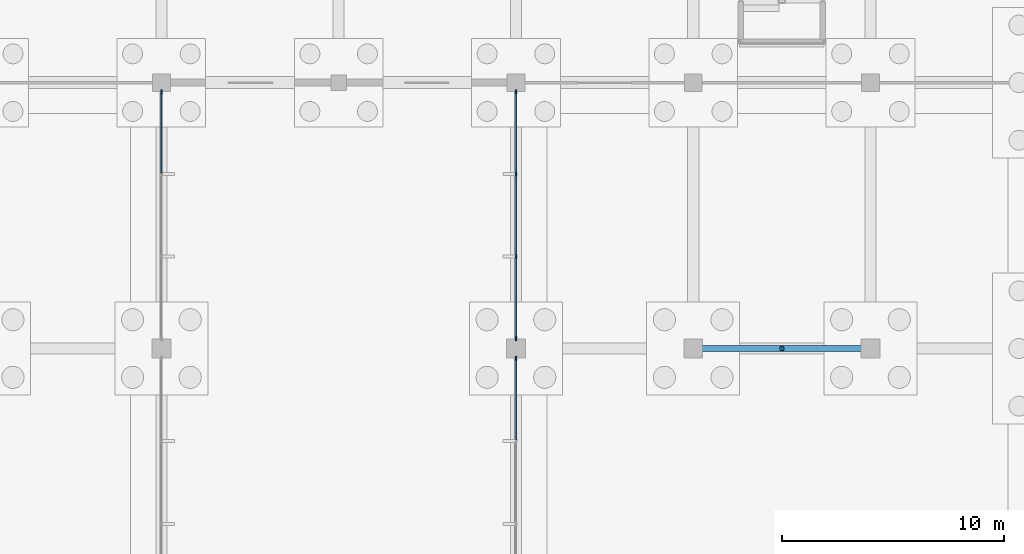
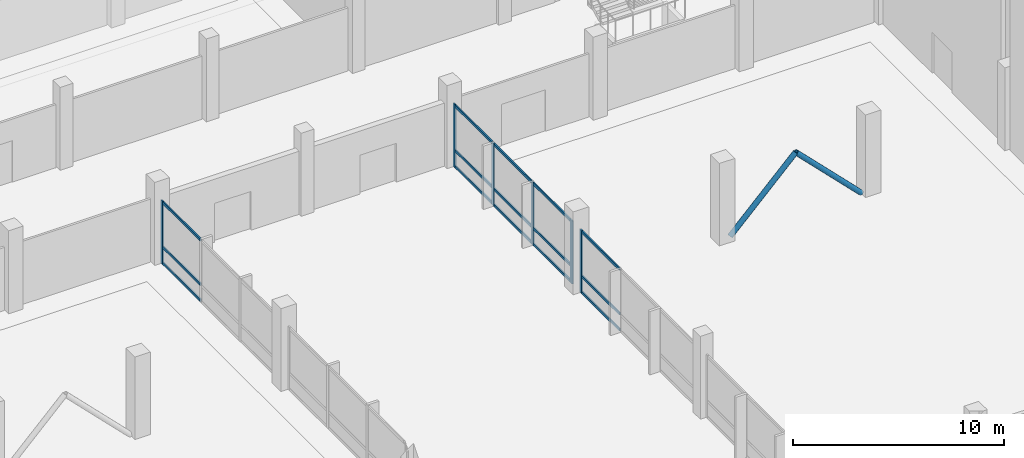
# One storey, part 26 of 72: 23 members, 3 elements without a shape of their own.
"""IFC4 building model written with IfcOpenShell, lengths in metres."""

from ifc_helpers import new_model, si_unit, direction, frame, origin, origin_2d, place, context, subcontext, project, spatial, rectangle, hollow_circle, extrude, material, material_profile, profile_set, type_object, element, aggregate, save


model = new_model("IFC4")

# Units and contexts
model_context = context("Model", 3, precision=1e-05, world=origin(), true_north=direction((0.0, 1.0)))
body_context = subcontext(model_context, "Body", "Model", "MODEL_VIEW")
ifc_project = project(units=[si_unit("LENGTHUNIT", "METRE"), si_unit("AREAUNIT", "SQUARE_METRE"), si_unit("VOLUMEUNIT", "CUBIC_METRE"), si_unit("PLANEANGLEUNIT", "RADIAN"), si_unit("MASSUNIT", "GRAM", prefix="KILO"), si_unit("THERMODYNAMICTEMPERATUREUNIT", "KELVIN"), si_unit("POWERUNIT", "WATT")], contexts=[model_context])

# Site, building, storey
site_placement = place(None, origin())
site = spatial("IfcSite", under=ifc_project, at=site_placement, CompositionType="ELEMENT")
building_placement = place(site_placement, origin())
building = spatial("IfcBuilding", under=site, at=building_placement, Name="Kronsvod Quay Wholesale Market", CompositionType="ELEMENT")
storey_placement = place(building_placement, origin())
storey = spatial("IfcBuildingStorey", under=building, at=storey_placement, Name="L00", CompositionType="ELEMENT", Elevation=0.0)

# Members
ifc_material_1 = material(Name="Steel S355", Category="steel")
ifc_material_profile_1 = material_profile(ifc_material_1, hollow_circle(Radius=0.136474609375, WallThickness=0.010009765625, at=origin_2d()), Name="CHS273x10")
ifc_profile_set_1 = profile_set([ifc_material_profile_1], Name="Steel S355")
member_type_1 = type_object("IfcMemberType", Name="Member_Brace273x10", PredefinedType="BRACE", material=ifc_profile_set_1)
for number, where, z_axis, x_axis, name in (
    (1, (112.4150390625, 78.0, 0.050048828125), (0.705639584744, 0.0, 0.708570939598), (0.0, 1.0, 0.0), "BRCG-L00-1120-780-A"),
    (2, (119.5849609375, 78.0, 0.050048828125), (-0.705639584744, 0.0, 0.708570939598), (0.0, -1.0, 0.0), "BRCG-L00-1120-780-B"),
):
    element("IfcMember", number, at=place(storey_placement, frame(where, z_axis=z_axis, x_axis=x_axis)), inside=storey, type_object=member_type_1, Name=name, PredefinedType="BRACE", context=body_context, shape_type="SweptSolid", body=[
        extrude(hollow_circle(Radius=0.136474609375, WallThickness=0.010009765625, at=origin_2d()), origin(), (0.0, 0.0, 1.0), 5.080322265625),
    ])

# Curtain wall, member
ifc_material_2 = material(Name="Thermally broken aluminium and triple low-E glazing", Category="aluminium")
curtain_wall_type = type_object("IfcCurtainWallType", Name="CW_Court120x35", PredefinedType="NOTDEFINED", material=ifc_material_2)
curtain_wall_1_placement = place(storey_placement, origin())
curtain_wall_1 = element("IfcCurtainWall", 3, at=curtain_wall_1_placement, inside=storey, type_object=curtain_wall_type, Name="CWGY-L00-880-780", PredefinedType="NOTDEFINED")
ifc_material_3 = material(Name="Anodised aluminium", Category="aluminium")
ifc_material_profile_2 = material_profile(ifc_material_3, rectangle(XDim=0.074951171875, YDim=0.199951171875, at=origin_2d()), Name="ALUM75x200")
ifc_profile_set_2 = profile_set([ifc_material_profile_2], Name="Anodised aluminium")
member_type_2 = type_object("IfcMemberType", Name="Mullion_ALU75x200", PredefinedType="MULLION", material=ifc_profile_set_2)
member_1_placement = place(storey_placement, frame((88.0, 89.5673828125, 0.0), z_axis=(0.0, 0.0, 1.0), x_axis=(1.0, 0.0, 0.0)))
member_1 = element("IfcMember", 4, at=member_1_placement, type_object=member_type_2, Name="CWGY-L00-880-780-M4", PredefinedType="MULLION", context=body_context, shape_type="SweptSolid", body=[
    extrude(rectangle(XDim=0.074951171875, YDim=0.199951171875, at=origin_2d()), origin(), (0.0, 0.0, 1.0), 3.64990234375),
])

curtain_wall_2_placement = place(storey_placement, origin())
curtain_wall_2 = element("IfcCurtainWall", 5, at=curtain_wall_2_placement, inside=storey, type_object=curtain_wall_type, Name="CWGY-L00-1040-660", PredefinedType="NOTDEFINED")
member_2_placement = place(storey_placement, frame((104.0, 77.54248046875, 0.0), z_axis=(0.0, 0.0, 1.0), x_axis=(1.0, 0.0, 0.0)))
member_2 = element("IfcMember", 6, at=member_2_placement, type_object=member_type_2, Name="CWGY-L00-1040-660-M1", PredefinedType="MULLION", context=body_context, shape_type="SweptSolid", body=[
    extrude(rectangle(XDim=0.074951171875, YDim=0.199951171875, at=origin_2d()), origin(), (0.0, 0.0, 1.0), 3.64990234375),
])

# Curtain wall, members
curtain_wall_3_placement = place(storey_placement, origin())
curtain_wall_3 = element("IfcCurtainWall", 7, at=curtain_wall_3_placement, inside=storey, type_object=curtain_wall_type, Name="CWGY-L00-1040-780", PredefinedType="NOTDEFINED")
member_3_placement = place(storey_placement, frame((104.0, 89.5673828125, 0.0), z_axis=(0.0, 0.0, 1.0), x_axis=(1.0, 0.0, 0.0)))
member_3 = element("IfcMember", 8, at=member_3_placement, type_object=member_type_2, Name="CWGY-L00-1040-780-M1", PredefinedType="MULLION", context=body_context, shape_type="SweptSolid", body=[
    extrude(rectangle(XDim=0.074951171875, YDim=0.199951171875, at=origin_2d()), origin(), (0.0, 0.0, 1.0), 3.64990234375),
])
member_4_placement = place(storey_placement, frame((104.0, 85.876708984375, 0.0), z_axis=(0.0, 0.0, 1.0), x_axis=(1.0, 0.0, 0.0)))
member_4 = element("IfcMember", 9, at=member_4_placement, type_object=member_type_2, Name="CWGY-L00-1040-780-M2", PredefinedType="MULLION", context=body_context, shape_type="SweptSolid", body=[
    extrude(rectangle(XDim=0.074951171875, YDim=0.199951171875, at=origin_2d()), origin(), (0.0, 0.0, 1.0), 3.64990234375),
])
member_5_placement = place(storey_placement, frame((104.0, 82.1484375, 0.0), z_axis=(0.0, 0.0, 1.0), x_axis=(1.0, 0.0, 0.0)))
member_5 = element("IfcMember", 10, at=member_5_placement, type_object=member_type_2, Name="CWGY-L00-1040-780-M3", PredefinedType="MULLION", context=body_context, shape_type="SweptSolid", body=[
    extrude(rectangle(XDim=0.074951171875, YDim=0.199951171875, at=origin_2d()), origin(), (0.0, 0.0, 1.0), 3.64990234375),
])
member_6_placement = place(storey_placement, frame((104.0, 78.45751953125, 0.0), z_axis=(0.0, 0.0, 1.0), x_axis=(1.0, 0.0, 0.0)))
member_6 = element("IfcMember", 11, at=member_6_placement, type_object=member_type_2, Name="CWGY-L00-1040-780-M4", PredefinedType="MULLION", context=body_context, shape_type="SweptSolid", body=[
    extrude(rectangle(XDim=0.074951171875, YDim=0.199951171875, at=origin_2d()), origin(), (0.0, 0.0, 1.0), 3.64990234375),
])

# Member
ifc_material_4 = material(Name="Anodised aluminium", Category="aluminium")
ifc_material_profile_3 = material_profile(ifc_material_4, rectangle(XDim=0.074951171875, YDim=0.14990234375, at=origin_2d()), Name="ALUT75x150")
ifc_profile_set_3 = profile_set([ifc_material_profile_3], Name="Anodised aluminium")
member_type_3 = type_object("IfcMemberType", Name="Transom_ALU75x150", PredefinedType="USERDEFINED", material=ifc_profile_set_3)
member_7_placement = place(storey_placement, frame((88.0, 85.9140625, 0.074951171875), z_axis=(0.0, 1.0, 0.0), x_axis=(-1.0, 0.0, 0.0)))
member_7 = element("IfcMember", 12, at=member_7_placement, type_object=member_type_3, Name="CWGY-L00-880-780-T1B3", ObjectType="TRANSOM", PredefinedType="USERDEFINED", context=body_context, shape_type="SweptSolid", body=[
    extrude(rectangle(XDim=0.074951171875, YDim=0.14990234375, at=origin_2d()), origin(), (0.0, 0.0, 1.0), 3.615966796875),
])

member_8_placement = place(storey_placement, frame((88.0, 85.9140625, 1.0), z_axis=(0.0, 1.0, 0.0), x_axis=(-1.0, 0.0, 0.0)))
member_8 = element("IfcMember", 13, at=member_8_placement, type_object=member_type_3, Name="CWGY-L00-880-780-T2B3", ObjectType="TRANSOM", PredefinedType="USERDEFINED", context=body_context, shape_type="SweptSolid", body=[
    extrude(rectangle(XDim=0.074951171875, YDim=0.14990234375, at=origin_2d()), origin(), (0.0, 0.0, 1.0), 3.615966796875),
])

member_9_placement = place(storey_placement, frame((88.0, 85.9140625, 3.574951171875), z_axis=(0.0, 1.0, 0.0), x_axis=(-1.0, 0.0, 0.0)))
member_9 = element("IfcMember", 14, at=member_9_placement, type_object=member_type_3, Name="CWGY-L00-880-780-T3B3", ObjectType="TRANSOM", PredefinedType="USERDEFINED", context=body_context, shape_type="SweptSolid", body=[
    extrude(rectangle(XDim=0.074951171875, YDim=0.14990234375, at=origin_2d()), origin(), (0.0, 0.0, 1.0), 3.615966796875),
])

aggregate(curtain_wall_1, [member_1, member_7, member_8, member_9])

member_10_placement = place(storey_placement, frame((104.0, 77.5048828125, 0.074951171875), z_axis=(0.0, -1.0, 0.0), x_axis=(1.0, 0.0, 0.0)))
member_10 = element("IfcMember", 15, at=member_10_placement, type_object=member_type_3, Name="CWGY-L00-1040-660-T1B1", ObjectType="TRANSOM", PredefinedType="USERDEFINED", context=body_context, shape_type="SweptSolid", body=[
    extrude(rectangle(XDim=0.074951171875, YDim=0.14990234375, at=origin_2d()), origin(), (0.0, 0.0, 1.0), 3.63232421875),
])

member_11_placement = place(storey_placement, frame((104.0, 77.5048828125, 1.0), z_axis=(0.0, -1.0, 0.0), x_axis=(1.0, 0.0, 0.0)))
member_11 = element("IfcMember", 16, at=member_11_placement, type_object=member_type_3, Name="CWGY-L00-1040-660-T2B1", ObjectType="TRANSOM", PredefinedType="USERDEFINED", context=body_context, shape_type="SweptSolid", body=[
    extrude(rectangle(XDim=0.074951171875, YDim=0.14990234375, at=origin_2d()), origin(), (0.0, 0.0, 1.0), 3.63232421875),
])

member_12_placement = place(storey_placement, frame((104.0, 77.5048828125, 3.574951171875), z_axis=(0.0, -1.0, 0.0), x_axis=(1.0, 0.0, 0.0)))
member_12 = element("IfcMember", 17, at=member_12_placement, type_object=member_type_3, Name="CWGY-L00-1040-660-T3B1", ObjectType="TRANSOM", PredefinedType="USERDEFINED", context=body_context, shape_type="SweptSolid", body=[
    extrude(rectangle(XDim=0.074951171875, YDim=0.14990234375, at=origin_2d()), origin(), (0.0, 0.0, 1.0), 3.63232421875),
])

aggregate(curtain_wall_2, [member_2, member_10, member_11, member_12])

member_13_placement = place(storey_placement, frame((104.0, 89.530029296875, 0.074951171875), z_axis=(0.0, -1.0, 0.0), x_axis=(1.0, 0.0, 0.0)))
member_13 = element("IfcMember", 18, at=member_13_placement, type_object=member_type_3, Name="CWGY-L00-1040-780-T1B1", ObjectType="TRANSOM", PredefinedType="USERDEFINED", context=body_context, shape_type="SweptSolid", body=[
    extrude(rectangle(XDim=0.074951171875, YDim=0.14990234375, at=origin_2d()), origin(), (0.0, 0.0, 1.0), 3.615966796875),
])

member_14_placement = place(storey_placement, frame((104.0, 85.839111328125, 0.074951171875), z_axis=(0.0, -1.0, 0.0), x_axis=(1.0, 0.0, 0.0)))
member_14 = element("IfcMember", 19, at=member_14_placement, type_object=member_type_3, Name="CWGY-L00-1040-780-T1B2", ObjectType="TRANSOM", PredefinedType="USERDEFINED", context=body_context, shape_type="SweptSolid", body=[
    extrude(rectangle(XDim=0.074951171875, YDim=0.14990234375, at=origin_2d()), origin(), (0.0, 0.0, 1.0), 3.6533203125),
])

member_15_placement = place(storey_placement, frame((104.0, 82.11083984375, 0.074951171875), z_axis=(0.0, -1.0, 0.0), x_axis=(1.0, 0.0, 0.0)))
member_15 = element("IfcMember", 20, at=member_15_placement, type_object=member_type_3, Name="CWGY-L00-1040-780-T1B3", ObjectType="TRANSOM", PredefinedType="USERDEFINED", context=body_context, shape_type="SweptSolid", body=[
    extrude(rectangle(XDim=0.074951171875, YDim=0.14990234375, at=origin_2d()), origin(), (0.0, 0.0, 1.0), 3.61572265625),
])

member_16_placement = place(storey_placement, frame((104.0, 89.530029296875, 1.0), z_axis=(0.0, -1.0, 0.0), x_axis=(1.0, 0.0, 0.0)))
member_16 = element("IfcMember", 21, at=member_16_placement, type_object=member_type_3, Name="CWGY-L00-1040-780-T2B1", ObjectType="TRANSOM", PredefinedType="USERDEFINED", context=body_context, shape_type="SweptSolid", body=[
    extrude(rectangle(XDim=0.074951171875, YDim=0.14990234375, at=origin_2d()), origin(), (0.0, 0.0, 1.0), 3.615966796875),
])

member_17_placement = place(storey_placement, frame((104.0, 85.839111328125, 1.0), z_axis=(0.0, -1.0, 0.0), x_axis=(1.0, 0.0, 0.0)))
member_17 = element("IfcMember", 22, at=member_17_placement, type_object=member_type_3, Name="CWGY-L00-1040-780-T2B2", ObjectType="TRANSOM", PredefinedType="USERDEFINED", context=body_context, shape_type="SweptSolid", body=[
    extrude(rectangle(XDim=0.074951171875, YDim=0.14990234375, at=origin_2d()), origin(), (0.0, 0.0, 1.0), 3.6533203125),
])

member_18_placement = place(storey_placement, frame((104.0, 82.11083984375, 1.0), z_axis=(0.0, -1.0, 0.0), x_axis=(1.0, 0.0, 0.0)))
member_18 = element("IfcMember", 23, at=member_18_placement, type_object=member_type_3, Name="CWGY-L00-1040-780-T2B3", ObjectType="TRANSOM", PredefinedType="USERDEFINED", context=body_context, shape_type="SweptSolid", body=[
    extrude(rectangle(XDim=0.074951171875, YDim=0.14990234375, at=origin_2d()), origin(), (0.0, 0.0, 1.0), 3.61572265625),
])

member_19_placement = place(storey_placement, frame((104.0, 89.530029296875, 3.574951171875), z_axis=(0.0, -1.0, 0.0), x_axis=(1.0, 0.0, 0.0)))
member_19 = element("IfcMember", 24, at=member_19_placement, type_object=member_type_3, Name="CWGY-L00-1040-780-T3B1", ObjectType="TRANSOM", PredefinedType="USERDEFINED", context=body_context, shape_type="SweptSolid", body=[
    extrude(rectangle(XDim=0.074951171875, YDim=0.14990234375, at=origin_2d()), origin(), (0.0, 0.0, 1.0), 3.615966796875),
])

member_20_placement = place(storey_placement, frame((104.0, 85.839111328125, 3.574951171875), z_axis=(0.0, -1.0, 0.0), x_axis=(1.0, 0.0, 0.0)))
member_20 = element("IfcMember", 25, at=member_20_placement, type_object=member_type_3, Name="CWGY-L00-1040-780-T3B2", ObjectType="TRANSOM", PredefinedType="USERDEFINED", context=body_context, shape_type="SweptSolid", body=[
    extrude(rectangle(XDim=0.074951171875, YDim=0.14990234375, at=origin_2d()), origin(), (0.0, 0.0, 1.0), 3.6533203125),
])

member_21_placement = place(storey_placement, frame((104.0, 82.11083984375, 3.574951171875), z_axis=(0.0, -1.0, 0.0), x_axis=(1.0, 0.0, 0.0)))
member_21 = element("IfcMember", 26, at=member_21_placement, type_object=member_type_3, Name="CWGY-L00-1040-780-T3B3", ObjectType="TRANSOM", PredefinedType="USERDEFINED", context=body_context, shape_type="SweptSolid", body=[
    extrude(rectangle(XDim=0.074951171875, YDim=0.14990234375, at=origin_2d()), origin(), (0.0, 0.0, 1.0), 3.61572265625),
])

aggregate(curtain_wall_3, [member_3, member_4, member_5, member_6, member_13, member_14, member_15, member_16, member_17, member_18, member_19, member_20, member_21])

save(model, "model.ifc")
